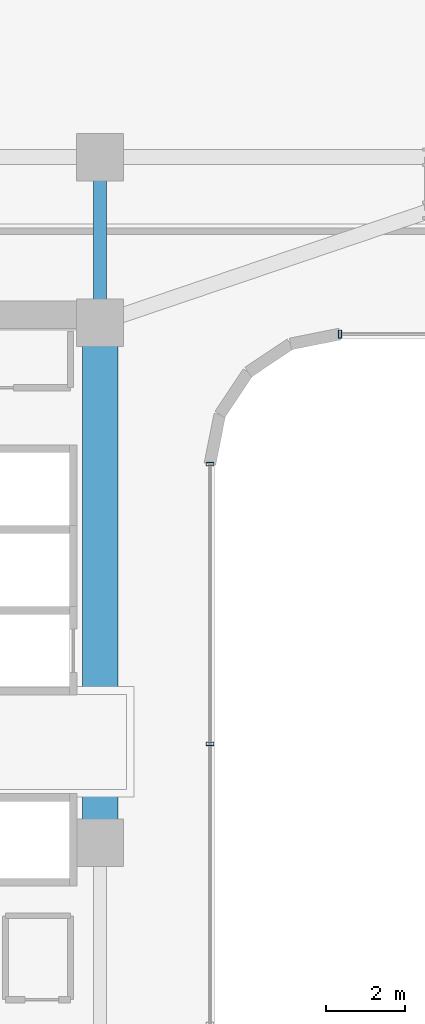
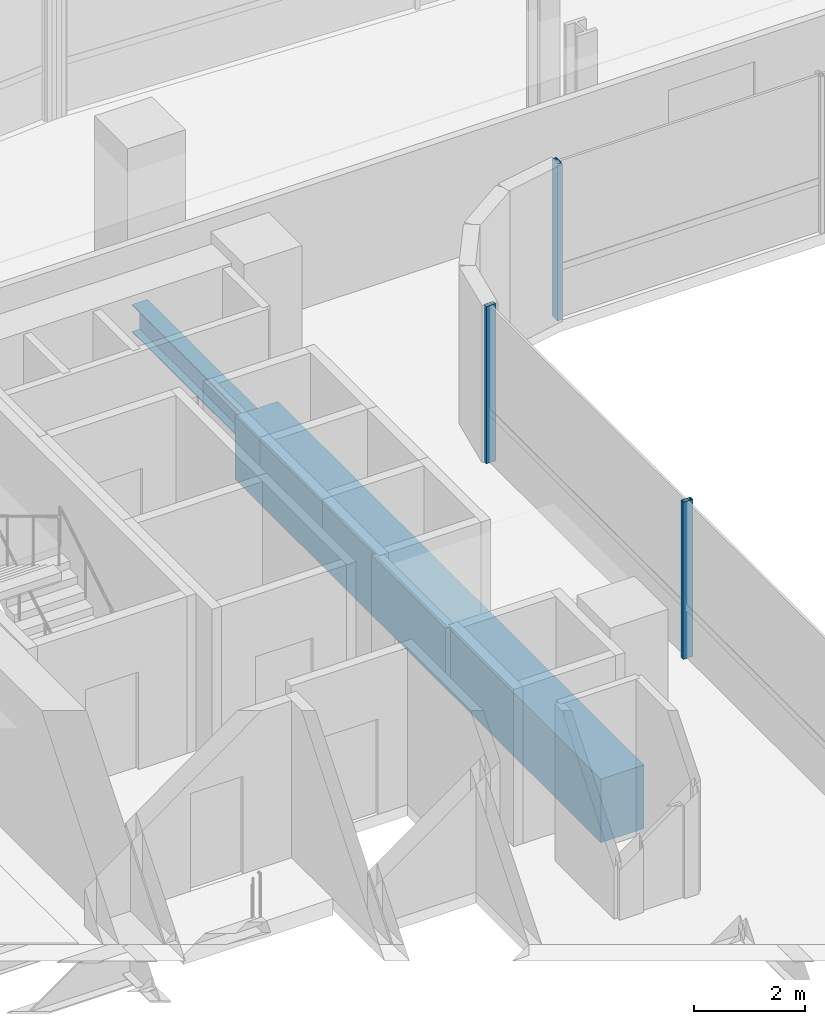
# One storey, part 10 of 35: 3 members, 2 beams, 2 elements without a shape of their own.
"""IFC4 building model written with IfcOpenShell, lengths in metres."""

from ifc_helpers import new_model, si_unit, direction, frame, origin, origin_2d, place, context, subcontext, project, spatial, rectangle, hollow_rectangle, i_section, extrude, source, transform, mapped, material, material_profile, profile_set, type_object, element, aggregate, save


model = new_model("IFC4")

# Units and contexts
model_context = context("Model", 3, precision=1e-05, world=origin(), true_north=direction((0.0, 1.0)))
body_context = subcontext(model_context, "Body", "Model", "MODEL_VIEW")
ifc_project = project(units=[si_unit("LENGTHUNIT", "METRE"), si_unit("AREAUNIT", "SQUARE_METRE"), si_unit("VOLUMEUNIT", "CUBIC_METRE"), si_unit("PLANEANGLEUNIT", "RADIAN"), si_unit("MASSUNIT", "GRAM", prefix="KILO")], contexts=[model_context])

# Site, building, storey
site_placement = place(None, origin())
site = spatial("IfcSite", under=ifc_project, at=site_placement, CompositionType="ELEMENT")
building_placement = place(site_placement, origin())
building = spatial("IfcBuilding", under=site, at=building_placement, Name="Valdorenza Pilgrim Sanctuary Tower", CompositionType="ELEMENT")
storey_placement = place(building_placement, frame((0.0, 0.0, 150.10009765625)))
storey = spatial("IfcBuildingStorey", under=building, at=storey_placement, Name="L38", CompositionType="ELEMENT", Elevation=150.10009765625)

# Beams
ifc_material_1 = material(Name="Concrete C60/75", Category="concrete")
ifc_material_profile_1 = material_profile(ifc_material_1, rectangle(XDim=0.89990234375, YDim=1.39990234375, at=origin_2d()), Name="RC 1400x900")
ifc_profile_set_1 = profile_set([ifc_material_profile_1], Name="Concrete C60/75")
beam_type_1 = type_object("IfcBeamType", Name="STR-BM-LNT-1400", PredefinedType="LINTEL", material=ifc_profile_set_1)
shared_shape_1 = source(origin(), body_context, "Body", "SweptSolid", [
    extrude(rectangle(XDim=0.89990234375, YDim=1.39990234375, at=origin_2d()), origin(), (0.0, 0.0, 1.0), 13.2001953125),
])
beam_1_placement = place(storey_placement, frame((-12.39990234375, -2.60009765625, -0.739990234375), z_axis=(0.0, 1.0, 0.0), x_axis=(-1.0, 0.0, 0.0)))
element("IfcBeam", 1, at=beam_1_placement, inside=storey, type_object=beam_type_1, Name="L38 Core A Coupling Lintel Girder", PredefinedType="LINTEL", context=body_context, shape_type="MappedRepresentation", body=[
    mapped(shared_shape_1, transform((0.0, 0.0, 0.0), x_axis=(1.0, 0.0, 0.0), y_axis=(0.0, 1.0, 0.0), z_axis=(0.0, 0.0, 1.0), scale=1.0)),
])
ifc_material_2 = material(Name="Steel ASTM A992 Grade 50", Category="steel")
ifc_material_profile_2 = material_profile(ifc_material_2, i_section(OverallWidth=0.323974609375, OverallDepth=0.611083984375, WebThickness=0.0126953125, FlangeThickness=0.01904296875, at=origin_2d()), Name="W24X104")
ifc_profile_set_2 = profile_set([ifc_material_profile_2], Name="Steel ASTM A992 Grade 50")
beam_type_2 = type_object("IfcBeamType", Name="STR-BM-GRD-W24B", PredefinedType="BEAM", material=ifc_profile_set_2)
shared_shape_2 = source(origin(), body_context, "Body", "SweptSolid", [
    extrude(i_section(OverallWidth=0.323974609375, OverallDepth=0.611083984375, WebThickness=0.0126953125, FlangeThickness=0.01904296875, at=origin_2d()), origin(), (0.0, 0.0, 1.0), 4.199951171875),
])
beam_2_placement = place(storey_placement, frame((-12.39990234375, 10.60009765625, -0.545654296875), z_axis=(0.0, 1.0, 0.0), x_axis=(-1.0, 0.0, 0.0)))
element("IfcBeam", 2, at=beam_2_placement, inside=storey, type_object=beam_type_2, Name="L38 Core Tie Girder CA-E-N1N2", PredefinedType="BEAM", context=body_context, shape_type="MappedRepresentation", body=[
    mapped(shared_shape_2, transform((0.0, 0.0, 0.0), x_axis=(1.0, 0.0, 0.0), y_axis=(0.0, 1.0, 0.0), z_axis=(0.0, 0.0, 1.0), scale=1.0)),
])

# Curtain wall, member
ifc_material_3 = material(Name="Curtain-wall IGU glazing", Category="glass")
curtain_wall_type = type_object("IfcCurtainWallType", Name="CW-SYS-02", PredefinedType="NOTDEFINED", material=ifc_material_3)
curtain_wall_1_placement = place(storey_placement, origin())
curtain_wall_1 = element("IfcCurtainWall", 3, at=curtain_wall_1_placement, inside=storey, type_object=curtain_wall_type, Name="L38 Curtain Wall CW-L38-1-36", PredefinedType="NOTDEFINED")
ifc_material_4 = material(Name="Anodised aluminium AW-6060", Category="aluminium")
ifc_material_profile_3 = material_profile(ifc_material_4, hollow_rectangle(XDim=0.0849609375, YDim=0.199951171875, WallThickness=0.0048828125, at=origin_2d()), Name="ALU-M 200x85x5")
ifc_profile_set_3 = profile_set([ifc_material_profile_3], Name="Anodised aluminium AW-6060")
member_type = type_object("IfcMemberType", Name="CW-MUL-02", PredefinedType="MULLION", material=ifc_profile_set_3)
shared_shape_3 = source(origin(), body_context, "Body", "SweptSolid", [
    extrude(hollow_rectangle(XDim=0.0849609375, YDim=0.199951171875, WallThickness=0.0048828125, at=origin_2d()), origin(), (0.0, 0.0, 1.0), 3.4599609375),
])
member_1_placement = place(storey_placement, frame((-6.310791015625, 10.31005859375, 0.0), z_axis=(0.0, 0.0, 1.0), x_axis=(-1.0, 0.0, 0.0)))
member_1 = element("IfcMember", 4, at=member_1_placement, type_object=member_type, Name="CW-L38-1-36 Mullion 4", PredefinedType="MULLION", context=body_context, shape_type="MappedRepresentation", body=[
    mapped(shared_shape_3, transform((0.0, 0.0, 0.0), x_axis=(1.0, 0.0, 0.0), y_axis=(0.0, 1.0, 0.0), z_axis=(0.0, 0.0, 1.0), scale=1.0)),
])
aggregate(curtain_wall_1, [member_1])

# Curtain wall, members
curtain_wall_2_placement = place(storey_placement, origin())
curtain_wall_2 = element("IfcCurtainWall", 5, at=curtain_wall_2_placement, inside=storey, type_object=curtain_wall_type, Name="L38 Curtain Wall CW-L38-1-41", PredefinedType="NOTDEFINED")
member_2_placement = place(storey_placement, frame((-9.610107421875, 7.0107421875, 0.0), z_axis=(0.0, 0.0, 1.0), x_axis=(0.0, -1.0, 0.0)))
member_2 = element("IfcMember", 6, at=member_2_placement, type_object=member_type, Name="CW-L38-1-41 Mullion 1", PredefinedType="MULLION", context=body_context, shape_type="MappedRepresentation", body=[
    mapped(shared_shape_3, transform((0.0, 0.0, 0.0), x_axis=(1.0, 0.0, 0.0), y_axis=(0.0, 1.0, 0.0), z_axis=(0.0, 0.0, 1.0), scale=1.0)),
])
member_3_placement = place(storey_placement, frame((-9.610107421875, -0.089111328125, 0.0), z_axis=(0.0, 0.0, 1.0), x_axis=(0.0, -1.0, 0.0)))
member_3 = element("IfcMember", 7, at=member_3_placement, type_object=member_type, Name="CW-L38-1-41 Mullion 2", PredefinedType="MULLION", context=body_context, shape_type="MappedRepresentation", body=[
    mapped(shared_shape_3, transform((0.0, 0.0, 0.0), x_axis=(1.0, 0.0, 0.0), y_axis=(0.0, 1.0, 0.0), z_axis=(0.0, 0.0, 1.0), scale=1.0)),
])
aggregate(curtain_wall_2, [member_2, member_3])

save(model, "model.ifc")
